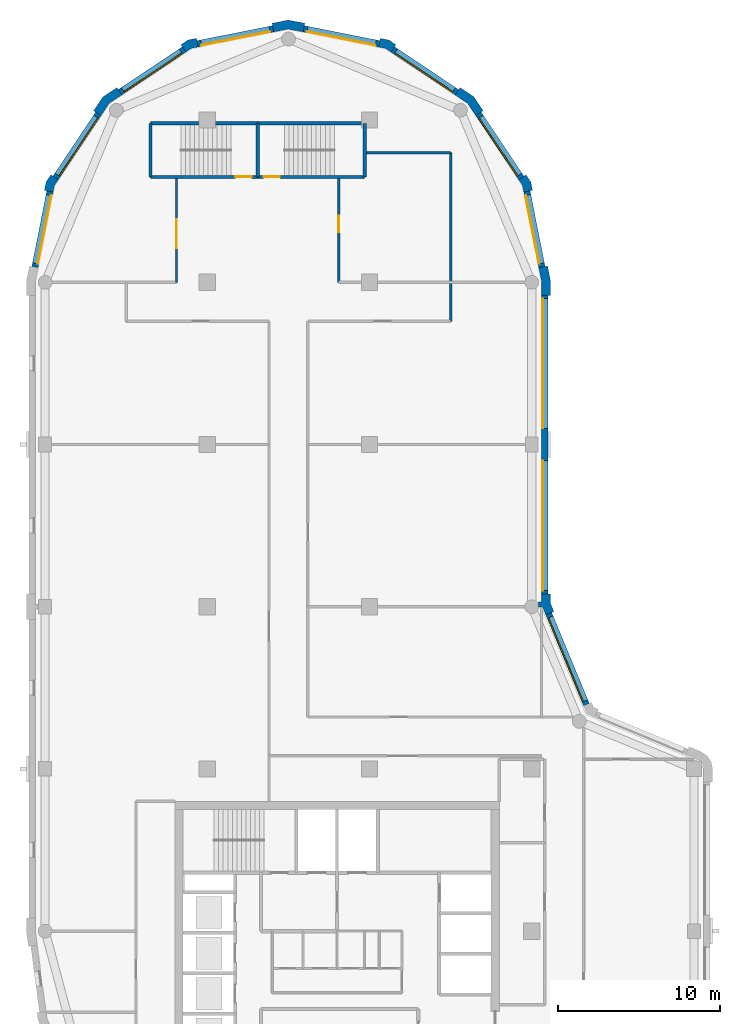
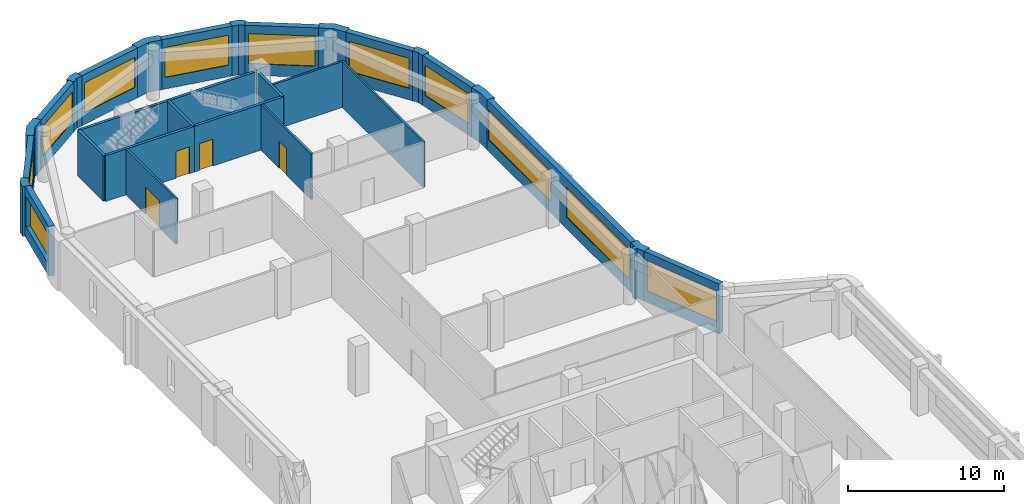
# One storey, part 5 of 8: 30 walls, 11 windows, 4 doors, 15 openings.
"""IFC4 building model written with IfcOpenShell, lengths in metres."""

from ifc_helpers import new_model, si_unit, direction, frame, frame_2d, origin, place, context, subcontext, project, spatial, polyline, rectangle, outline, extrude, material, layer, layer_set, type_object, element, fill, save


model = new_model("IFC4")

# Units and contexts
model_context = context("Model", 3, precision=1e-05, world=origin(), true_north=direction((0.0, 1.0)))
body_context = subcontext(model_context, "Body", "Model", "MODEL_VIEW")
ifc_project = project(units=[si_unit("LENGTHUNIT", "METRE"), si_unit("AREAUNIT", "SQUARE_METRE"), si_unit("VOLUMEUNIT", "CUBIC_METRE"), si_unit("PLANEANGLEUNIT", "RADIAN"), si_unit("MASSUNIT", "GRAM", prefix="KILO")], contexts=[model_context])

# Site, building, storey
site_placement = place(None, origin())
site = spatial("IfcSite", under=ifc_project, at=site_placement, CompositionType="ELEMENT")
building_placement = place(site_placement, origin())
building = spatial("IfcBuilding", under=site, at=building_placement, Name="Qaws Garden Tower", CompositionType="ELEMENT")
storey_placement = place(building_placement, frame((0.0, 0.0, 298.199951171875)))
storey = spatial("IfcBuildingStorey", under=building, at=storey_placement, Name="L72", CompositionType="ELEMENT", Elevation=298.199951171875)

# Wall, opening, window
ifc_material_1 = material(Name="Clay facing brick masonry", Category="masonry")
ifc_layer_1 = layer(ifc_material_1, 0.39990234375)
ifc_layer_set_1 = layer_set([ifc_layer_1], Name="Clay facing brick masonry")
wall_type_1 = type_object("IfcWallType", Name="Brick infill wall 400", PredefinedType="SOLIDWALL", material=ifc_layer_set_1)
wall_1_placement = place(storey_placement, frame((33.36181640625, 33.97412109375, 0.0), z_axis=(0.0, 0.0, 1.0), x_axis=(-0.382655745237, 0.923891000409, 0.0)))
wall_1 = element("IfcWall", 1, at=wall_1_placement, inside=storey, type_object=wall_type_1, Name="E-L72-infill-06", PredefinedType="SOLIDWALL", context=body_context, shape_type="SweptSolid", body=[
    extrude(rectangle(XDim=6.053466796875, YDim=0.39990234375, at=frame_2d((3.02685546875, 0.0))), origin(), (0.0, 0.0, 1.0), 3.900146484375),
])
opening_1_placement = place(wall_1_placement, frame((0.226806640625, 0.0, 0.89990234375)))
opening_1 = element("IfcOpeningElement", 2, at=opening_1_placement, cuts=wall_1, Name="Opening W04", PredefinedType="OPENING", context=body_context, shape_type="SweptSolid", body=[
    extrude(rectangle(XDim=5.60009765625, YDim=2.35009765625, at=frame_2d((2.800048828125, 1.175048828125))), frame((0.0, 0.2099609375, 0.0), z_axis=(0.0, -1.0, 0.0), x_axis=(1.0, 0.0, 0.0)), (0.0, 0.0, 1.0), 0.419921875),
])
ifc_material_2 = material(Name="Aluminium framed window, clear glazing", Category="aluminium")
window_type_1 = type_object("IfcWindowType", Name="Ribbon window 5600 x 2350", PartitioningType="DOUBLE_PANEL_VERTICAL", PredefinedType="WINDOW", material=ifc_material_2)
window_1_placement = place(opening_1_placement, origin())
window_1 = element("IfcWindow", 3, at=window_1_placement, inside=storey, type_object=window_type_1, Name="E-L72-window-06-0", OverallHeight=2.35009765625, OverallWidth=5.60009765625, PartitioningType="SINGLE_PANEL", PredefinedType="WINDOW", context=body_context, shape_type="SweptSolid", body=[
    extrude(rectangle(XDim=5.60009765625, YDim=2.35009765625, at=frame_2d((2.800048828125, 1.175048828125))), frame((0.0, 0.159912109375, 0.0), z_axis=(0.0, -1.0, 0.0), x_axis=(1.0, 0.0, 0.0)), (0.0, 0.0, 1.0), 0.06005859375),
])
fill(opening_1, window_1)

# Wall, openings, windows
wall_2_placement = place(storey_placement, frame((30.800048828125, 40.800048828125, 0.0), z_axis=(0.0, 0.0, 1.0), x_axis=(0.0, 1.0, 0.0)))
wall_2 = element("IfcWall", 4, at=wall_2_placement, inside=storey, type_object=wall_type_1, Name="E-L72-infill-07", PredefinedType="SOLIDWALL", context=body_context, shape_type="SweptSolid", body=[
    extrude(rectangle(XDim=18.39990234375, YDim=0.39990234375, at=frame_2d((9.199951171875, 0.0))), origin(), (0.0, 0.0, 1.0), 3.900146484375),
])
opening_2_placement = place(wall_2_placement, frame((0.199951171875, 0.0, 0.89990234375)))
opening_2 = element("IfcOpeningElement", 5, at=opening_2_placement, cuts=wall_2, Name="Opening W01", PredefinedType="OPENING", context=body_context, shape_type="SweptSolid", body=[
    extrude(rectangle(XDim=8.0, YDim=2.35009765625, at=frame_2d((4.0, 1.175048828125))), frame((0.0, 0.2099609375, 0.0), z_axis=(0.0, -1.0, 0.0), x_axis=(1.0, 0.0, 0.0)), (0.0, 0.0, 1.0), 0.419921875),
])
opening_3_placement = place(wall_2_placement, frame((10.199951171875, 0.0, 0.89990234375)))
opening_3 = element("IfcOpeningElement", 6, at=opening_3_placement, cuts=wall_2, Name="Opening W01", PredefinedType="OPENING", context=body_context, shape_type="SweptSolid", body=[
    extrude(rectangle(XDim=8.0, YDim=2.35009765625, at=frame_2d((4.0, 1.175048828125))), frame((0.0, 0.2099609375, 0.0), z_axis=(0.0, -1.0, 0.0), x_axis=(1.0, 0.0, 0.0)), (0.0, 0.0, 1.0), 0.419921875),
])
ifc_material_3 = material(Name="Aluminium framed window, clear glazing", Category="aluminium")
window_type_2 = type_object("IfcWindowType", Name="Ribbon window 8000 x 2350", PartitioningType="DOUBLE_PANEL_VERTICAL", PredefinedType="WINDOW", material=ifc_material_3)
window_2_placement = place(opening_2_placement, origin())
window_2 = element("IfcWindow", 7, at=window_2_placement, inside=storey, type_object=window_type_2, Name="E-L72-window-07-0", OverallHeight=2.35009765625, OverallWidth=8.0, PartitioningType="SINGLE_PANEL", PredefinedType="WINDOW", context=body_context, shape_type="SweptSolid", body=[
    extrude(rectangle(XDim=8.0, YDim=2.35009765625, at=frame_2d((4.0, 1.175048828125))), frame((0.0, 0.159912109375, 0.0), z_axis=(0.0, -1.0, 0.0), x_axis=(1.0, 0.0, 0.0)), (0.0, 0.0, 1.0), 0.06005859375),
])
fill(opening_2, window_2)
window_3_placement = place(opening_3_placement, origin())
window_3 = element("IfcWindow", 8, at=window_3_placement, inside=storey, type_object=window_type_2, Name="E-L72-window-08-0", OverallHeight=2.35009765625, OverallWidth=8.0, PartitioningType="SINGLE_PANEL", PredefinedType="WINDOW", context=body_context, shape_type="SweptSolid", body=[
    extrude(rectangle(XDim=8.0, YDim=2.35009765625, at=frame_2d((4.0, 1.175048828125))), frame((0.0, 0.159912109375, 0.0), z_axis=(0.0, -1.0, 0.0), x_axis=(1.0, 0.0, 0.0)), (0.0, 0.0, 1.0), 0.06005859375),
])
fill(opening_3, window_3)

# Wall, opening, window
wall_3_placement = place(storey_placement, frame((30.628662109375, 60.940673828125, 0.0), z_axis=(0.0, 0.0, 1.0), x_axis=(-0.195098533057, 0.98078364709, 0.0)))
wall_3 = element("IfcWall", 9, at=wall_3_placement, inside=storey, type_object=wall_type_1, Name="E-L72-infill-09", PredefinedType="SOLIDWALL", context=body_context, shape_type="SweptSolid", body=[
    extrude(rectangle(XDim=4.752685546875, YDim=0.39990234375, at=frame_2d((2.37646484375, 0.0))), origin(), (0.0, 0.0, 1.0), 3.900146484375),
])
opening_4_placement = place(wall_3_placement, frame((0.226318359375, 0.0, 0.89990234375)))
opening_4 = element("IfcOpeningElement", 10, at=opening_4_placement, cuts=wall_3, Name="Opening W06", PredefinedType="OPENING", context=body_context, shape_type="SweptSolid", body=[
    extrude(rectangle(XDim=4.300048828125, YDim=2.35009765625, at=frame_2d((2.14990234375, 1.175048828125))), frame((0.0, 0.2099609375, 0.0), z_axis=(0.0, -1.0, 0.0), x_axis=(1.0, 0.0, 0.0)), (0.0, 0.0, 1.0), 0.419921875),
])
ifc_material_4 = material(Name="Aluminium framed window, clear glazing", Category="aluminium")
window_type_3 = type_object("IfcWindowType", Name="Ribbon window 4300 x 2350", PartitioningType="DOUBLE_PANEL_VERTICAL", PredefinedType="WINDOW", material=ifc_material_4)
window_4_placement = place(opening_4_placement, origin())
window_4 = element("IfcWindow", 11, at=window_4_placement, inside=storey, type_object=window_type_3, Name="E-L72-window-09-0", OverallHeight=2.35009765625, OverallWidth=4.300048828125, PartitioningType="SINGLE_PANEL", PredefinedType="WINDOW", context=body_context, shape_type="SweptSolid", body=[
    extrude(rectangle(XDim=4.300048828125, YDim=2.35009765625, at=frame_2d((2.14990234375, 1.175048828125))), frame((0.0, 0.159912109375, 0.0), z_axis=(0.0, -1.0, 0.0), x_axis=(1.0, 0.0, 0.0)), (0.0, 0.0, 1.0), 0.06005859375),
])
fill(opening_4, window_4)

wall_4_placement = place(storey_placement, frame((29.356689453125, 66.43408203125, 0.0), z_axis=(0.0, 0.0, 1.0), x_axis=(-0.555541552266, 0.831488775454, 0.0)))
wall_4 = element("IfcWall", 12, at=wall_4_placement, inside=storey, type_object=wall_type_1, Name="E-L72-infill-10", PredefinedType="SOLIDWALL", context=body_context, shape_type="SweptSolid", body=[
    extrude(rectangle(XDim=4.752685546875, YDim=0.39990234375, at=frame_2d((2.37646484375, 0.0))), origin(), (0.0, 0.0, 1.0), 3.900146484375),
])
opening_5_placement = place(wall_4_placement, frame((0.226318359375, 0.0, 0.89990234375)))
opening_5 = element("IfcOpeningElement", 13, at=opening_5_placement, cuts=wall_4, Name="Opening W06", PredefinedType="OPENING", context=body_context, shape_type="SweptSolid", body=[
    extrude(rectangle(XDim=4.300048828125, YDim=2.35009765625, at=frame_2d((2.14990234375, 1.175048828125))), frame((0.0, 0.2099609375, 0.0), z_axis=(0.0, -1.0, 0.0), x_axis=(1.0, 0.0, 0.0)), (0.0, 0.0, 1.0), 0.419921875),
])
window_5_placement = place(opening_5_placement, origin())
window_5 = element("IfcWindow", 14, at=window_5_placement, inside=storey, type_object=window_type_3, Name="E-L72-window-10-0", OverallHeight=2.35009765625, OverallWidth=4.300048828125, PartitioningType="SINGLE_PANEL", PredefinedType="WINDOW", context=body_context, shape_type="SweptSolid", body=[
    extrude(rectangle(XDim=4.300048828125, YDim=2.35009765625, at=frame_2d((2.14990234375, 1.175048828125))), frame((0.0, 0.159912109375, 0.0), z_axis=(0.0, -1.0, 0.0), x_axis=(1.0, 0.0, 0.0)), (0.0, 0.0, 1.0), 0.06005859375),
])
fill(opening_5, window_5)

wall_5_placement = place(storey_placement, frame((25.385986328125, 71.71630859375, 0.0), z_axis=(0.0, 0.0, 1.0), x_axis=(-0.831488775454, 0.555541552266, 0.0)))
wall_5 = element("IfcWall", 15, at=wall_5_placement, inside=storey, type_object=wall_type_1, Name="E-L72-infill-11", PredefinedType="SOLIDWALL", context=body_context, shape_type="SweptSolid", body=[
    extrude(rectangle(XDim=4.752685546875, YDim=0.39990234375, at=frame_2d((2.37646484375, 0.0))), origin(), (0.0, 0.0, 1.0), 3.900146484375),
])
opening_6_placement = place(wall_5_placement, frame((0.226318359375, 0.0, 0.89990234375)))
opening_6 = element("IfcOpeningElement", 16, at=opening_6_placement, cuts=wall_5, Name="Opening W06", PredefinedType="OPENING", context=body_context, shape_type="SweptSolid", body=[
    extrude(rectangle(XDim=4.300048828125, YDim=2.35009765625, at=frame_2d((2.14990234375, 1.175048828125))), frame((0.0, 0.2099609375, 0.0), z_axis=(0.0, -1.0, 0.0), x_axis=(1.0, 0.0, 0.0)), (0.0, 0.0, 1.0), 0.419921875),
])
window_6_placement = place(opening_6_placement, origin())
window_6 = element("IfcWindow", 17, at=window_6_placement, inside=storey, type_object=window_type_3, Name="E-L72-window-11-0", OverallHeight=2.35009765625, OverallWidth=4.300048828125, PartitioningType="SINGLE_PANEL", PredefinedType="WINDOW", context=body_context, shape_type="SweptSolid", body=[
    extrude(rectangle(XDim=4.300048828125, YDim=2.35009765625, at=frame_2d((2.14990234375, 1.175048828125))), frame((0.0, 0.159912109375, 0.0), z_axis=(0.0, -1.0, 0.0), x_axis=(1.0, 0.0, 0.0)), (0.0, 0.0, 1.0), 0.06005859375),
])
fill(opening_6, window_6)

wall_6_placement = place(storey_placement, frame((20.60205078125, 74.701416015625, 0.0), z_axis=(0.0, 0.0, 1.0), x_axis=(-0.98078364709, 0.195098533057, 0.0)))
wall_6 = element("IfcWall", 18, at=wall_6_placement, inside=storey, type_object=wall_type_1, Name="E-L72-infill-12", PredefinedType="SOLIDWALL", context=body_context, shape_type="SweptSolid", body=[
    extrude(rectangle(XDim=4.752685546875, YDim=0.39990234375, at=frame_2d((2.37646484375, 0.0))), origin(), (0.0, 0.0, 1.0), 3.900146484375),
])
opening_7_placement = place(wall_6_placement, frame((0.226318359375, 0.0, 0.89990234375)))
opening_7 = element("IfcOpeningElement", 19, at=opening_7_placement, cuts=wall_6, Name="Opening W06", PredefinedType="OPENING", context=body_context, shape_type="SweptSolid", body=[
    extrude(rectangle(XDim=4.300048828125, YDim=2.35009765625, at=frame_2d((2.14990234375, 1.175048828125))), frame((0.0, 0.2099609375, 0.0), z_axis=(0.0, -1.0, 0.0), x_axis=(1.0, 0.0, 0.0)), (0.0, 0.0, 1.0), 0.419921875),
])
window_7_placement = place(opening_7_placement, origin())
window_7 = element("IfcWindow", 20, at=window_7_placement, inside=storey, type_object=window_type_3, Name="E-L72-window-12-0", OverallHeight=2.35009765625, OverallWidth=4.300048828125, PartitioningType="SINGLE_PANEL", PredefinedType="WINDOW", context=body_context, shape_type="SweptSolid", body=[
    extrude(rectangle(XDim=4.300048828125, YDim=2.35009765625, at=frame_2d((2.14990234375, 1.175048828125))), frame((0.0, 0.159912109375, 0.0), z_axis=(0.0, -1.0, 0.0), x_axis=(1.0, 0.0, 0.0)), (0.0, 0.0, 1.0), 0.06005859375),
])
fill(opening_7, window_7)

wall_7_placement = place(storey_placement, frame((14.059326171875, 75.628662109375, 0.0), z_axis=(0.0, 0.0, 1.0), x_axis=(-0.98078364709, -0.195098533057, 0.0)))
wall_7 = element("IfcWall", 21, at=wall_7_placement, inside=storey, type_object=wall_type_1, Name="E-L72-infill-13", PredefinedType="SOLIDWALL", context=body_context, shape_type="SweptSolid", body=[
    extrude(rectangle(XDim=4.752685546875, YDim=0.39990234375, at=frame_2d((2.37646484375, 0.0))), origin(), (0.0, 0.0, 1.0), 3.900146484375),
])
opening_8_placement = place(wall_7_placement, frame((0.226318359375, 0.0, 0.89990234375)))
opening_8 = element("IfcOpeningElement", 22, at=opening_8_placement, cuts=wall_7, Name="Opening W06", PredefinedType="OPENING", context=body_context, shape_type="SweptSolid", body=[
    extrude(rectangle(XDim=4.300048828125, YDim=2.35009765625, at=frame_2d((2.14990234375, 1.175048828125))), frame((0.0, 0.2099609375, 0.0), z_axis=(0.0, -1.0, 0.0), x_axis=(1.0, 0.0, 0.0)), (0.0, 0.0, 1.0), 0.419921875),
])
window_8_placement = place(opening_8_placement, origin())
window_8 = element("IfcWindow", 23, at=window_8_placement, inside=storey, type_object=window_type_3, Name="E-L72-window-13-0", OverallHeight=2.35009765625, OverallWidth=4.300048828125, PartitioningType="SINGLE_PANEL", PredefinedType="WINDOW", context=body_context, shape_type="SweptSolid", body=[
    extrude(rectangle(XDim=4.300048828125, YDim=2.35009765625, at=frame_2d((2.14990234375, 1.175048828125))), frame((0.0, 0.159912109375, 0.0), z_axis=(0.0, -1.0, 0.0), x_axis=(1.0, 0.0, 0.0)), (0.0, 0.0, 1.0), 0.06005859375),
])
fill(opening_8, window_8)

wall_8_placement = place(storey_placement, frame((8.56591796875, 74.356689453125, 0.0), z_axis=(0.0, 0.0, 1.0), x_axis=(-0.831488775454, -0.555541552266, 0.0)))
wall_8 = element("IfcWall", 24, at=wall_8_placement, inside=storey, type_object=wall_type_1, Name="E-L72-infill-14", PredefinedType="SOLIDWALL", context=body_context, shape_type="SweptSolid", body=[
    extrude(rectangle(XDim=4.752685546875, YDim=0.39990234375, at=frame_2d((2.37646484375, 0.0))), origin(), (0.0, 0.0, 1.0), 3.900146484375),
])
opening_9_placement = place(wall_8_placement, frame((0.226318359375, 0.0, 0.89990234375)))
opening_9 = element("IfcOpeningElement", 25, at=opening_9_placement, cuts=wall_8, Name="Opening W06", PredefinedType="OPENING", context=body_context, shape_type="SweptSolid", body=[
    extrude(rectangle(XDim=4.300048828125, YDim=2.35009765625, at=frame_2d((2.14990234375, 1.175048828125))), frame((0.0, 0.2099609375, 0.0), z_axis=(0.0, -1.0, 0.0), x_axis=(1.0, 0.0, 0.0)), (0.0, 0.0, 1.0), 0.419921875),
])
window_9_placement = place(opening_9_placement, origin())
window_9 = element("IfcWindow", 26, at=window_9_placement, inside=storey, type_object=window_type_3, Name="E-L72-window-14-0", OverallHeight=2.35009765625, OverallWidth=4.300048828125, PartitioningType="SINGLE_PANEL", PredefinedType="WINDOW", context=body_context, shape_type="SweptSolid", body=[
    extrude(rectangle(XDim=4.300048828125, YDim=2.35009765625, at=frame_2d((2.14990234375, 1.175048828125))), frame((0.0, 0.159912109375, 0.0), z_axis=(0.0, -1.0, 0.0), x_axis=(1.0, 0.0, 0.0)), (0.0, 0.0, 1.0), 0.06005859375),
])
fill(opening_9, window_9)

wall_9_placement = place(storey_placement, frame((3.28369140625, 70.385986328125, 0.0), z_axis=(0.0, 0.0, 1.0), x_axis=(-0.555541552266, -0.831488775454, 0.0)))
wall_9 = element("IfcWall", 27, at=wall_9_placement, inside=storey, type_object=wall_type_1, Name="E-L72-infill-15", PredefinedType="SOLIDWALL", context=body_context, shape_type="SweptSolid", body=[
    extrude(rectangle(XDim=4.752685546875, YDim=0.39990234375, at=frame_2d((2.37646484375, 0.0))), origin(), (0.0, 0.0, 1.0), 3.900146484375),
])
opening_10_placement = place(wall_9_placement, frame((0.226318359375, 0.0, 0.89990234375)))
opening_10 = element("IfcOpeningElement", 28, at=opening_10_placement, cuts=wall_9, Name="Opening W06", PredefinedType="OPENING", context=body_context, shape_type="SweptSolid", body=[
    extrude(rectangle(XDim=4.300048828125, YDim=2.35009765625, at=frame_2d((2.14990234375, 1.175048828125))), frame((0.0, 0.2099609375, 0.0), z_axis=(0.0, -1.0, 0.0), x_axis=(1.0, 0.0, 0.0)), (0.0, 0.0, 1.0), 0.419921875),
])
window_10_placement = place(opening_10_placement, origin())
window_10 = element("IfcWindow", 29, at=window_10_placement, inside=storey, type_object=window_type_3, Name="E-L72-window-15-0", OverallHeight=2.35009765625, OverallWidth=4.300048828125, PartitioningType="SINGLE_PANEL", PredefinedType="WINDOW", context=body_context, shape_type="SweptSolid", body=[
    extrude(rectangle(XDim=4.300048828125, YDim=2.35009765625, at=frame_2d((2.14990234375, 1.175048828125))), frame((0.0, 0.159912109375, 0.0), z_axis=(0.0, -1.0, 0.0), x_axis=(1.0, 0.0, 0.0)), (0.0, 0.0, 1.0), 0.06005859375),
])
fill(opening_10, window_10)

wall_10_placement = place(storey_placement, frame((0.298583984375, 65.60205078125, 0.0), z_axis=(0.0, 0.0, 1.0), x_axis=(-0.195098533057, -0.98078364709, 0.0)))
wall_10 = element("IfcWall", 30, at=wall_10_placement, inside=storey, type_object=wall_type_1, Name="E-L72-infill-16", PredefinedType="SOLIDWALL", context=body_context, shape_type="SweptSolid", body=[
    extrude(rectangle(XDim=4.752685546875, YDim=0.39990234375, at=frame_2d((2.37646484375, 0.0))), origin(), (0.0, 0.0, 1.0), 3.900146484375),
])
opening_11_placement = place(wall_10_placement, frame((0.226318359375, 0.0, 0.89990234375)))
opening_11 = element("IfcOpeningElement", 31, at=opening_11_placement, cuts=wall_10, Name="Opening W06", PredefinedType="OPENING", context=body_context, shape_type="SweptSolid", body=[
    extrude(rectangle(XDim=4.300048828125, YDim=2.35009765625, at=frame_2d((2.14990234375, 1.175048828125))), frame((0.0, 0.2099609375, 0.0), z_axis=(0.0, -1.0, 0.0), x_axis=(1.0, 0.0, 0.0)), (0.0, 0.0, 1.0), 0.419921875),
])
window_11_placement = place(opening_11_placement, origin())
window_11 = element("IfcWindow", 32, at=window_11_placement, inside=storey, type_object=window_type_3, Name="E-L72-window-16-0", OverallHeight=2.35009765625, OverallWidth=4.300048828125, PartitioningType="SINGLE_PANEL", PredefinedType="WINDOW", context=body_context, shape_type="SweptSolid", body=[
    extrude(rectangle(XDim=4.300048828125, YDim=2.35009765625, at=frame_2d((2.14990234375, 1.175048828125))), frame((0.0, 0.159912109375, 0.0), z_axis=(0.0, -1.0, 0.0), x_axis=(1.0, 0.0, 0.0)), (0.0, 0.0, 1.0), 0.06005859375),
])
fill(opening_11, window_11)

# Walls
ifc_material_5 = material(Name="Clay facing brick masonry", Category="masonry")
ifc_layer_2 = layer(ifc_material_5, 0.550048828125)
ifc_layer_set_2 = layer_set([ifc_layer_2], Name="Clay facing brick masonry")
wall_type_2 = type_object("IfcWallType", Name="Brick kink pier 550 x 600", PredefinedType="SOLIDWALL", material=ifc_layer_set_2)
placement = place(storey_placement, origin())
element("IfcWall", 33, at=placement, inside=storey, type_object=wall_type_2, Name="E-L72-pier-10", PredefinedType="SOLIDWALL", context=body_context, shape_type="SweptSolid", body=[
    extrude(outline(polyline([(29.8974609375, 65.64111328125), (30.044677734375, 65.67041015625), (29.94140625, 66.18896484375), (29.647705078125, 66.628662109375), (29.52294921875, 66.545166015625), (29.1904296875, 66.322998046875), (29.42333984375, 65.974365234375), (29.505126953125, 65.56298828125), (29.8974609375, 65.64111328125)])), origin(), (0.0, 0.0, 1.0), 3.900146484375),
])
element("IfcWall", 34, at=placement, inside=storey, type_object=wall_type_2, Name="E-L72-pier-12", PredefinedType="SOLIDWALL", context=body_context, shape_type="SweptSolid", body=[
    extrude(outline(polyline([(21.545166015625, 74.52294921875), (21.628662109375, 74.647705078125), (21.18896484375, 74.94140625), (20.67041015625, 75.044677734375), (20.64111328125, 74.8974609375), (20.56298828125, 74.505126953125), (20.974365234375, 74.42333984375), (21.322998046875, 74.1904296875), (21.545166015625, 74.52294921875)])), origin(), (0.0, 0.0, 1.0), 3.900146484375),
])
element("IfcWall", 35, at=placement, inside=storey, type_object=wall_type_2, Name="E-L72-pier-14", PredefinedType="SOLIDWALL", context=body_context, shape_type="SweptSolid", body=[
    extrude(outline(polyline([(9.35888671875, 74.8974609375), (9.32958984375, 75.044677734375), (8.81103515625, 74.94140625), (8.371337890625, 74.647705078125), (8.454833984375, 74.52294921875), (8.677001953125, 74.1904296875), (9.025634765625, 74.42333984375), (9.43701171875, 74.505126953125), (9.35888671875, 74.8974609375)])), origin(), (0.0, 0.0, 1.0), 3.900146484375),
])
element("IfcWall", 36, at=placement, inside=storey, type_object=wall_type_2, Name="E-L72-pier-16", PredefinedType="SOLIDWALL", context=body_context, shape_type="SweptSolid", body=[
    extrude(outline(polyline([(0.47705078125, 66.545166015625), (0.352294921875, 66.628662109375), (0.05859375, 66.18896484375), (-0.044677734375, 65.67041015625), (0.1025390625, 65.64111328125), (0.494873046875, 65.56298828125), (0.57666015625, 65.974365234375), (0.8095703125, 66.322998046875), (0.47705078125, 66.545166015625)])), origin(), (0.0, 0.0, 1.0), 3.900146484375),
])
ifc_material_6 = material(Name="Clay facing brick masonry", Category="masonry")
ifc_layer_3 = layer(ifc_material_6, 0.550048828125)
ifc_layer_set_3 = layer_set([ifc_layer_3], Name="Clay facing brick masonry")
wall_type_3 = type_object("IfcWallType", Name="Brick pier 550 x 1600", PredefinedType="SOLIDWALL", material=ifc_layer_set_3)
element("IfcWall", 37, at=placement, inside=storey, type_object=wall_type_3, Name="E-L72-pier-07", PredefinedType="SOLIDWALL", context=body_context, shape_type="SweptSolid", body=[
    extrude(outline(polyline([(30.6201171875, 39.995361328125), (30.6201171875, 40.071044921875), (30.860595703125, 39.490478515625), (31.22998046875, 39.6435546875), (31.36865234375, 39.700927734375), (31.14990234375, 40.228759765625), (31.14990234375, 40.800048828125), (31.0, 40.800048828125), (30.60009765625, 40.800048828125), (30.60009765625, 40.29541015625), (30.425048828125, 40.29541015625), (30.425048828125, 39.995361328125), (30.6201171875, 39.995361328125)])), origin(), (0.0, 0.0, 1.0), 3.900146484375),
])
element("IfcWall", 38, at=placement, inside=storey, type_object=wall_type_3, Name="E-L72-pier-09", PredefinedType="SOLIDWALL", context=body_context, shape_type="SweptSolid", body=[
    extrude(outline(polyline([(31.0, 59.199951171875), (31.14990234375, 59.199951171875), (31.14990234375, 60.11328125), (30.971923828125, 61.009033203125), (30.82470703125, 60.979736328125), (30.432373046875, 60.901611328125), (30.60009765625, 60.05908203125), (30.60009765625, 59.199951171875), (31.0, 59.199951171875)])), origin(), (0.0, 0.0, 1.0), 3.900146484375),
])
element("IfcWall", 39, at=placement, inside=storey, type_object=wall_type_3, Name="E-L72-pier-11", PredefinedType="SOLIDWALL", context=body_context, shape_type="SweptSolid", body=[
    extrude(outline(polyline([(26.882568359375, 70.4970703125), (27.00732421875, 70.580322265625), (26.435791015625, 71.435791015625), (25.580322265625, 72.00732421875), (25.4970703125, 71.882568359375), (25.274658203125, 71.550048828125), (26.0390625, 71.0390625), (26.550048828125, 70.274658203125), (26.882568359375, 70.4970703125)])), origin(), (0.0, 0.0, 1.0), 3.900146484375),
])
element("IfcWall", 40, at=placement, inside=storey, type_object=wall_type_3, Name="E-L72-pier-13", PredefinedType="SOLIDWALL", context=body_context, shape_type="SweptSolid", body=[
    extrude(outline(polyline([(15.979736328125, 75.82470703125), (16.009033203125, 75.971923828125), (15.0, 76.172607421875), (13.990966796875, 75.971923828125), (14.020263671875, 75.82470703125), (14.098388671875, 75.432373046875), (15.0, 75.61181640625), (15.901611328125, 75.432373046875), (15.979736328125, 75.82470703125)])), origin(), (0.0, 0.0, 1.0), 3.900146484375),
])
element("IfcWall", 41, at=placement, inside=storey, type_object=wall_type_3, Name="E-L72-pier-15", PredefinedType="SOLIDWALL", context=body_context, shape_type="SweptSolid", body=[
    extrude(outline(polyline([(4.5029296875, 71.882568359375), (4.419677734375, 72.00732421875), (3.564208984375, 71.435791015625), (2.99267578125, 70.580322265625), (3.117431640625, 70.4970703125), (3.449951171875, 70.274658203125), (3.9609375, 71.0390625), (4.725341796875, 71.550048828125), (4.5029296875, 71.882568359375)])), origin(), (0.0, 0.0, 1.0), 3.900146484375),
])

# Wall, opening, door
ifc_material_7 = material(Name="Concrete C60", Category="concrete")
ifc_layer_4 = layer(ifc_material_7, 0.199951171875)
ifc_layer_set_4 = layer_set([ifc_layer_4], Name="Concrete C60")
wall_type_4 = type_object("IfcWallType", Name="Core shaft wall 200 C60", PredefinedType="SHEAR", material=ifc_layer_set_4)
wall_20_placement = place(storey_placement, frame((6.5, 66.5, 0.0), z_axis=(0.0, 0.0, 1.0), x_axis=(1.0, 0.0, 0.0)))
wall_20 = element("IfcWall", 42, at=wall_20_placement, inside=storey, type_object=wall_type_4, Name="Shaft wall", PredefinedType="SHEAR", context=body_context, shape_type="SweptSolid", body=[
    extrude(rectangle(XDim=6.60009765625, YDim=0.199951171875, at=frame_2d((3.300048828125, 0.0))), origin(), (0.0, 0.0, 1.0), 3.580078125),
])
opening_12_placement = place(wall_20_placement, frame((5.22509765625, 0.0, 0.0)))
opening_12 = element("IfcOpeningElement", 43, at=opening_12_placement, cuts=wall_20, Name="Opening SD13", PredefinedType="OPENING", context=body_context, shape_type="SweptSolid", body=[
    extrude(rectangle(XDim=1.0, YDim=2.10009765625, at=frame_2d((0.5, 1.050048828125))), frame((0.0, 0.10986328125, 0.0), z_axis=(0.0, -1.0, 0.0), x_axis=(1.0, 0.0, 0.0)), (0.0, 0.0, 1.0), 0.219970703125),
])
ifc_material_8 = material(Name="Steel S235", Category="steel")
door_type_1 = type_object("IfcDoorType", Name="Stair door 1000x2100", OperationType="SINGLE_SWING_RIGHT", PredefinedType="DOOR", material=ifc_material_8)
door_1_placement = place(opening_12_placement, origin())
door_1 = element("IfcDoor", 44, at=door_1_placement, inside=storey, type_object=door_type_1, Name="Stair 6 door", OperationType="SINGLE_SWING_RIGHT", OverallHeight=2.10009765625, OverallWidth=1.0, PredefinedType="DOOR", context=body_context, shape_type="SweptSolid", body=[
    extrude(rectangle(XDim=1.0, YDim=2.10009765625, at=frame_2d((0.5, 1.050048828125))), frame((0.0, 0.02490234375, 0.0), z_axis=(0.0, -1.0, 0.0), x_axis=(1.0, 0.0, 0.0)), (0.0, 0.0, 1.0), 0.050048828125),
])
fill(opening_12, door_1)

wall_21_placement = place(storey_placement, frame((13.10009765625, 66.5, 0.0), z_axis=(0.0, 0.0, 1.0), x_axis=(1.0, 0.0, 0.0)))
wall_21 = element("IfcWall", 45, at=wall_21_placement, inside=storey, type_object=wall_type_4, Name="Shaft wall", PredefinedType="SHEAR", context=body_context, shape_type="SweptSolid", body=[
    extrude(rectangle(XDim=6.599853515625, YDim=0.199951171875, at=frame_2d((3.2998046875, 0.0))), origin(), (0.0, 0.0, 1.0), 3.580078125),
])
opening_13_placement = place(wall_21_placement, frame((0.375, 0.0, 0.0)))
opening_13 = element("IfcOpeningElement", 46, at=opening_13_placement, cuts=wall_21, Name="Opening SD14", PredefinedType="OPENING", context=body_context, shape_type="SweptSolid", body=[
    extrude(rectangle(XDim=1.0, YDim=2.10009765625, at=frame_2d((0.5, 1.050048828125))), frame((0.0, 0.10986328125, 0.0), z_axis=(0.0, -1.0, 0.0), x_axis=(1.0, 0.0, 0.0)), (0.0, 0.0, 1.0), 0.219970703125),
])
door_2_placement = place(opening_13_placement, origin())
door_2 = element("IfcDoor", 47, at=door_2_placement, inside=storey, type_object=door_type_1, Name="Stair 7 door", OperationType="SINGLE_SWING_LEFT", OverallHeight=2.10009765625, OverallWidth=1.0, PredefinedType="DOOR", context=body_context, shape_type="SweptSolid", body=[
    extrude(rectangle(XDim=1.0, YDim=2.10009765625, at=frame_2d((0.5, 1.050048828125))), frame((0.0, 0.02490234375, 0.0), z_axis=(0.0, -1.0, 0.0), x_axis=(1.0, 0.0, 0.0)), (0.0, 0.0, 1.0), 0.050048828125),
])
fill(opening_13, door_2)

# Walls
wall_22_placement = place(storey_placement, frame((6.5, 69.800048828125, 0.0), z_axis=(0.0, 0.0, 1.0), x_axis=(1.0, 0.0, 0.0)))
element("IfcWall", 48, at=wall_22_placement, inside=storey, type_object=wall_type_4, Name="Shaft wall", PredefinedType="SHEAR", context=body_context, shape_type="SweptSolid", body=[
    extrude(rectangle(XDim=6.60009765625, YDim=0.199951171875, at=frame_2d((3.300048828125, 0.0))), origin(), (0.0, 0.0, 1.0), 3.580078125),
])
wall_23_placement = place(storey_placement, frame((13.10009765625, 69.800048828125, 0.0), z_axis=(0.0, 0.0, 1.0), x_axis=(1.0, 0.0, 0.0)))
element("IfcWall", 49, at=wall_23_placement, inside=storey, type_object=wall_type_4, Name="Shaft wall", PredefinedType="SHEAR", context=body_context, shape_type="SweptSolid", body=[
    extrude(rectangle(XDim=6.599853515625, YDim=0.199951171875, at=frame_2d((3.2998046875, 0.0))), origin(), (0.0, 0.0, 1.0), 3.580078125),
])
for number, where, z_axis, x_axis, name in (
    (50, (6.5, 66.5, 0.0), (0.0, 0.0, 1.0), (0.0, 1.0, 0.0), "Shaft wall"),
    (51, (13.10009765625, 66.5, 0.0), (0.0, 0.0, 1.0), (0.0, 1.0, 0.0), "Shaft wall"),
    (52, (19.699951171875, 66.5, 0.0), (0.0, 0.0, 1.0), (0.0, 1.0, 0.0), "Shaft wall"),
):
    element("IfcWall", number, at=place(storey_placement, frame(where, z_axis=z_axis, x_axis=x_axis)), inside=storey, type_object=wall_type_4, Name=name, PredefinedType="SHEAR", context=body_context, shape_type="SweptSolid", body=[
        extrude(rectangle(XDim=3.300048828125, YDim=0.199951171875, at=frame_2d((1.64990234375, 0.0))), origin(), (0.0, 0.0, 1.0), 3.580078125),
    ])

# Wall, opening, door
ifc_material_9 = material(Name="Gypsum board partition")
ifc_layer_5 = layer(ifc_material_9, 0.14990234375)
ifc_layer_set_5 = layer_set([ifc_layer_5], Name="Gypsum board partition")
wall_type_5 = type_object("IfcWallType", Name="PARTITION 150 EI 60", PredefinedType="PARTITIONING", material=ifc_layer_set_5)
wall_24_placement = place(storey_placement, frame((8.10009765625, 60.0, 0.0), z_axis=(0.0, 0.0, 1.0), x_axis=(0.0, 1.0, 0.0)))
wall_24 = element("IfcWall", 53, at=wall_24_placement, inside=storey, type_object=wall_type_5, Name="O-L72-wall-004", PredefinedType="PARTITIONING", context=body_context, shape_type="SweptSolid", body=[
    extrude(rectangle(XDim=6.39990234375, YDim=0.14990234375, at=frame_2d((3.199951171875, 0.0))), origin(), (0.0, 0.0, 1.0), 3.580078125),
])
opening_14_placement = place(wall_24_placement, frame((2.10009765625, 0.0, 0.0)))
opening_14 = element("IfcOpeningElement", 54, at=opening_14_placement, cuts=wall_24, Name="Opening C606", PredefinedType="OPENING", context=body_context, shape_type="SweptSolid", body=[
    extrude(rectangle(XDim=1.800048828125, YDim=2.10009765625, at=frame_2d((0.89990234375, 1.050048828125))), frame((0.0, 0.0849609375, 0.0), z_axis=(0.0, -1.0, 0.0), x_axis=(1.0, 0.0, 0.0)), (0.0, 0.0, 1.0), 0.169921875),
])
ifc_material_10 = material(Name="Timber door leaf", Category="wood")
door_type_2 = type_object("IfcDoorType", Name="DOUBLE DOOR 1800 X 2100", OperationType="DOUBLE_DOOR_SINGLE_SWING", PredefinedType="DOOR", material=ifc_material_10)
door_3_placement = place(opening_14_placement, origin())
door_3 = element("IfcDoor", 55, at=door_3_placement, inside=storey, type_object=door_type_2, Name="O-L72-door-006", OperationType="DOUBLE_DOOR_SINGLE_SWING", OverallHeight=2.10009765625, OverallWidth=1.800048828125, PredefinedType="DOOR", context=body_context, shape_type="SweptSolid", body=[
    extrude(rectangle(XDim=1.800048828125, YDim=2.10009765625, at=frame_2d((0.89990234375, 1.050048828125))), frame((0.0, 0.02490234375, 0.0), z_axis=(0.0, -1.0, 0.0), x_axis=(1.0, 0.0, 0.0)), (0.0, 0.0, 1.0), 0.050048828125),
])
fill(opening_14, door_3)

wall_25_placement = place(storey_placement, frame((18.10009765625, 60.0, 0.0), z_axis=(0.0, 0.0, 1.0), x_axis=(0.0, 1.0, 0.0)))
wall_25 = element("IfcWall", 56, at=wall_25_placement, inside=storey, type_object=wall_type_5, Name="O-L72-wall-009", PredefinedType="PARTITIONING", context=body_context, shape_type="SweptSolid", body=[
    extrude(rectangle(XDim=6.39990234375, YDim=0.14990234375, at=frame_2d((3.199951171875, 0.0))), origin(), (0.0, 0.0, 1.0), 3.580078125),
])
opening_15_placement = place(wall_25_placement, frame((3.10009765625, 0.0, 0.0)))
opening_15 = element("IfcOpeningElement", 57, at=opening_15_placement, cuts=wall_25, Name="Opening C607", PredefinedType="OPENING", context=body_context, shape_type="SweptSolid", body=[
    extrude(rectangle(XDim=1.0, YDim=2.10009765625, at=frame_2d((0.5, 1.050048828125))), frame((0.0, 0.0849609375, 0.0), z_axis=(0.0, -1.0, 0.0), x_axis=(1.0, 0.0, 0.0)), (0.0, 0.0, 1.0), 0.169921875),
])
ifc_material_11 = material(Name="Timber door leaf", Category="wood")
door_type_3 = type_object("IfcDoorType", Name="TENANCY ENTRANCE DOOR 1000 X 2100", OperationType="SINGLE_SWING_LEFT", PredefinedType="DOOR", material=ifc_material_11)
door_4_placement = place(opening_15_placement, frame((1.0, 0.0, 0.0), z_axis=(0.0, 0.0, 1.0), x_axis=(-1.0, 0.0, 0.0)))
door_4 = element("IfcDoor", 58, at=door_4_placement, inside=storey, type_object=door_type_3, Name="O-L72-door-007", OperationType="SINGLE_SWING_RIGHT", OverallHeight=2.10009765625, OverallWidth=1.0, PredefinedType="DOOR", context=body_context, shape_type="SweptSolid", body=[
    extrude(rectangle(XDim=1.0, YDim=2.10009765625, at=frame_2d((0.5, 1.050048828125))), frame((0.0, 0.02490234375, 0.0), z_axis=(0.0, -1.0, 0.0), x_axis=(1.0, 0.0, 0.0)), (0.0, 0.0, 1.0), 0.050048828125),
])
fill(opening_15, door_4)

# Walls
wall_26_placement = place(storey_placement, frame((25.0, 57.60009765625, 0.0), z_axis=(0.0, 0.0, 1.0), x_axis=(0.0, 1.0, 0.0)))
element("IfcWall", 59, at=wall_26_placement, inside=storey, type_object=wall_type_5, Name="O-L72-wall-011", PredefinedType="PARTITIONING", context=body_context, shape_type="SweptSolid", body=[
    extrude(rectangle(XDim=10.39990234375, YDim=0.14990234375, at=frame_2d((5.199951171875, 0.0))), origin(), (0.0, 0.0, 1.0), 3.580078125),
])
wall_27_placement = place(storey_placement, frame((19.800048828125, 68.0, 0.0), z_axis=(0.0, 0.0, 1.0), x_axis=(1.0, 0.0, 0.0)))
element("IfcWall", 60, at=wall_27_placement, inside=storey, type_object=wall_type_5, Name="O-L72-wall-035", PredefinedType="PARTITIONING", context=body_context, shape_type="SweptSolid", body=[
    extrude(rectangle(XDim=5.199951171875, YDim=0.14990234375, at=frame_2d((2.60009765625, 0.0))), origin(), (0.0, 0.0, 1.0), 3.580078125),
])

save(model, "model.ifc")
